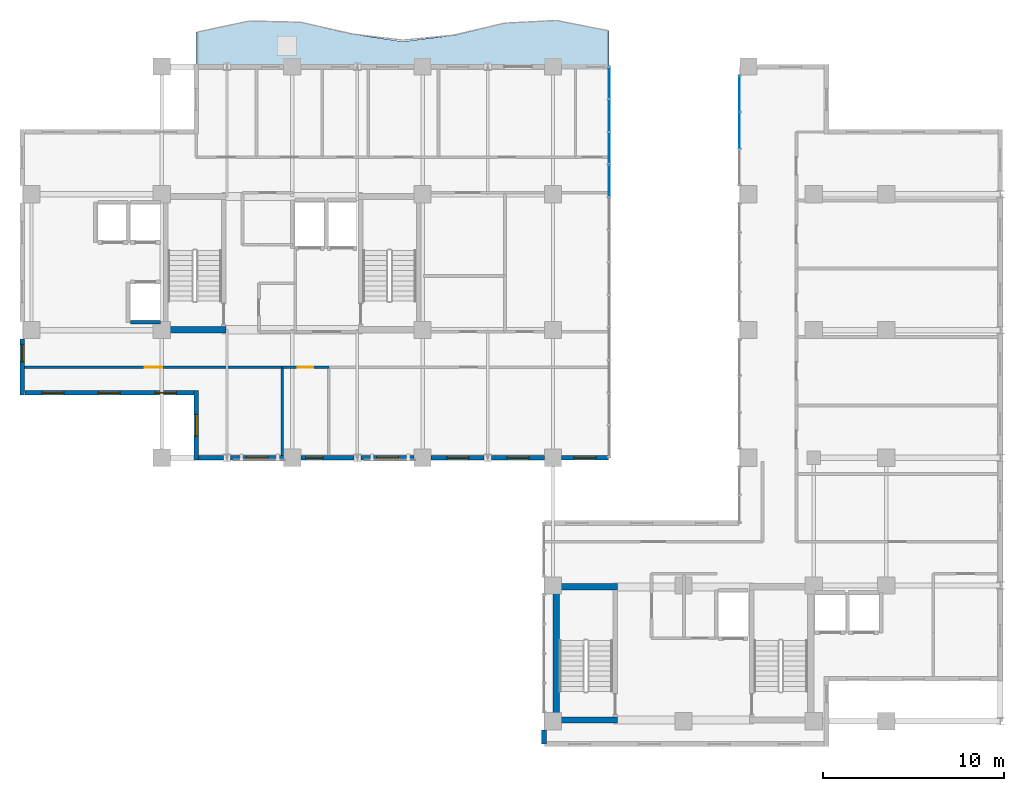
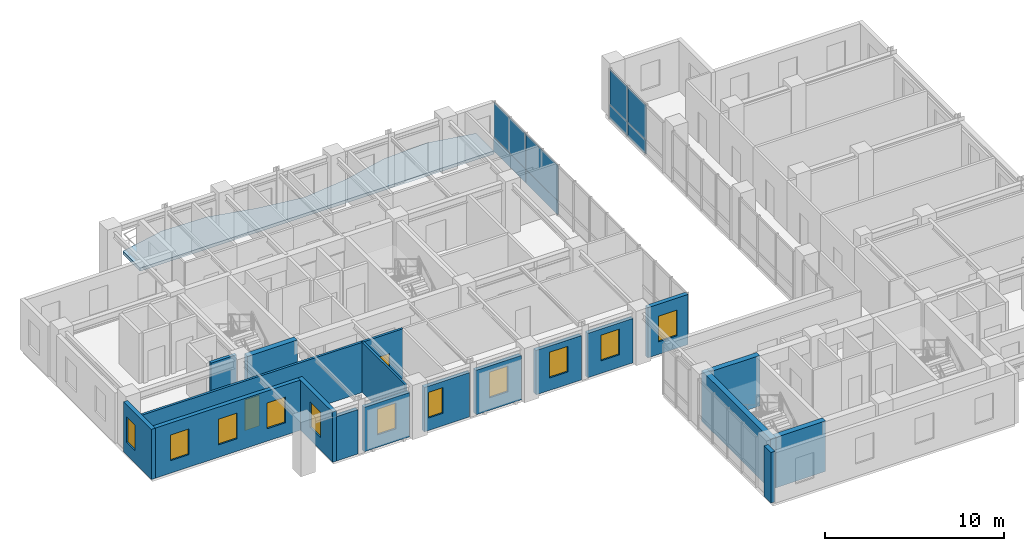
# One storey, part 16 of 24: 19 walls, 11 windows, 8 plates, 2 doors, 1 slab, 13 openings, 2 elements without a shape of their own.
"""IFC4 building model written with IfcOpenShell, lengths in metres."""

from ifc_helpers import new_model, si_unit, direction, frame, frame_2d, origin, origin_2d, place, context, subcontext, project, spatial, polyline, rectangle, outline, extrude, source, transform, mapped, material, layer, layer_set, type_object, element, fill, aggregate, save


model = new_model("IFC4")

# Units and contexts
model_context = context("Model", 3, precision=1e-05, world=origin(), true_north=direction((0.0, 1.0)))
body_context = subcontext(model_context, "Body", "Model", "MODEL_VIEW")
ifc_project = project(units=[si_unit("LENGTHUNIT", "METRE"), si_unit("AREAUNIT", "SQUARE_METRE"), si_unit("VOLUMEUNIT", "CUBIC_METRE"), si_unit("PLANEANGLEUNIT", "RADIAN"), si_unit("MASSUNIT", "GRAM", prefix="KILO")], contexts=[model_context])

# Site, building, storey
site_placement = place(None, origin())
site = spatial("IfcSite", under=ifc_project, at=site_placement, CompositionType="ELEMENT")
building_placement = place(site_placement, origin())
building = spatial("IfcBuilding", under=site, at=building_placement, Name="Kaliganga Portal Commons", CompositionType="ELEMENT")
storey_placement = place(building_placement, frame((0.0, 0.0, 242.5)))
storey = spatial("IfcBuildingStorey", under=building, at=storey_placement, Name="L62", CompositionType="ELEMENT", Elevation=242.5)

# Slab
ifc_material_1 = material(Name="Concrete C40/50", Category="concrete")
ifc_layer_1 = layer(ifc_material_1, 0.2099609375)
ifc_layer_set_1 = layer_set([ifc_layer_1], Name="Concrete C40/50")
slab_type = type_object("IfcSlabType", Name="SLB-BALC-210", PredefinedType="FLOOR", material=ifc_layer_set_1)
slab_placement = place(storey_placement, frame((0.0, 0.0, -0.2099609375)))
element("IfcSlab", 1, at=slab_placement, inside=storey, type_object=slab_type, Name="Scalloped Tree-Planter Balcony Slab L62 balc_north", PredefinedType="FLOOR", context=body_context, shape_type="SweptSolid", body=[
    extrude(outline(polyline([(39.10009765625, 43.199951171875), (39.10009765625, 45.19091796875), (36.25, 45.757080078125), (33.39990234375, 45.60791015625), (30.550048828125, 44.931640625), (27.699951171875, 44.583251953125), (24.85009765625, 45.002685546875), (22.0, 45.66015625), (19.14990234375, 45.724609375), (16.300048828125, 45.11474609375), (16.300048828125, 43.199951171875), (39.10009765625, 43.199951171875)])), origin(), (0.0, 0.0, 1.0), 0.2099609375),
])

# Curtain wall, plates
ifc_material_2 = material(Name="Anodized Aluminium and Laminated Low-E Glass", Category="aluminium")
ifc_layer_2 = layer(ifc_material_2, 0.239990234375)
ifc_layer_set_2 = layer_set([ifc_layer_2], Name="Anodized Aluminium and Laminated Low-E Glass")
curtain_wall_type = type_object("IfcCurtainWallType", Name="CW-SYS-04", PredefinedType="NOTDEFINED", material=ifc_layer_set_2)
curtain_wall_1_placement = place(storey_placement, origin())
curtain_wall_1 = element("IfcCurtainWall", 2, at=curtain_wall_1_placement, inside=storey, type_object=curtain_wall_type, Name="CW 04 L62 P1E01S1", PredefinedType="NOTDEFINED")
ifc_material_3 = material(Name="Insulated Dark Spandrel Panel", Category="metal")
ifc_layer_3 = layer(ifc_material_3, 0.044921875)
ifc_layer_set_3 = layer_set([ifc_layer_3], Name="Insulated Dark Spandrel Panel")
plate_type_1 = type_object("IfcPlateType", Name="PLT-SPN-45", PredefinedType="SHEET", material=ifc_layer_set_3)
shared_shape_1 = source(origin(), body_context, "Body", "SweptSolid", [
    extrude(rectangle(XDim=3.56005859375, YDim=0.044921875, at=origin_2d()), origin(), (0.0, 0.0, 1.0), 0.929931640625),
])
plate_1_placement = place(storey_placement, frame((39.10009765625, 37.800048828125, 0.01025390625), z_axis=(0.0, 0.0, 1.0), x_axis=(0.0, 1.0, 0.0)))
plate_1 = element("IfcPlate", 3, at=plate_1_placement, type_object=plate_type_1, Name="CW:04:L62:P1E01S1 Spandrel 08", PredefinedType="SHEET", context=body_context, shape_type="MappedRepresentation", body=[
    mapped(shared_shape_1, transform((0.0, 0.0, 0.0), x_axis=(1.0, 0.0, 0.0), y_axis=(0.0, 1.0, 0.0), z_axis=(0.0, 0.0, 1.0), scale=1.0)),
])
plate_2_placement = place(storey_placement, frame((39.10009765625, 41.39990234375, 0.01025390625), z_axis=(0.0, 0.0, 1.0), x_axis=(0.0, 1.0, 0.0)))
plate_2 = element("IfcPlate", 4, at=plate_2_placement, type_object=plate_type_1, Name="CW:04:L62:P1E01S1 Spandrel 10", PredefinedType="SHEET", context=body_context, shape_type="MappedRepresentation", body=[
    mapped(shared_shape_1, transform((0.0, 0.0, 0.0), x_axis=(1.0, 0.0, 0.0), y_axis=(0.0, 1.0, 0.0), z_axis=(0.0, 0.0, 1.0), scale=1.0)),
])
ifc_material_4 = material(Name="Dark Solar-Control Laminated Low-E IGU", Category="glass")
ifc_layer_4 = layer(ifc_material_4, 0.028076171875)
ifc_layer_set_4 = layer_set([ifc_layer_4], Name="Dark Solar-Control Laminated Low-E IGU")
plate_type_2 = type_object("IfcPlateType", Name="PLT-GLZ-28", PredefinedType="CURTAIN_PANEL", material=ifc_layer_set_4)
shared_shape_2 = source(origin(), body_context, "Body", "SweptSolid", [
    extrude(rectangle(XDim=3.56005859375, YDim=0.028076171875, at=origin_2d()), origin(), (0.0, 0.0, 1.0), 2.389892578125),
])
plate_3_placement = place(storey_placement, frame((39.10009765625, 37.800048828125, 0.9599609375), z_axis=(0.0, 0.0, 1.0), x_axis=(0.0, 1.0, 0.0)))
plate_3 = element("IfcPlate", 5, at=plate_3_placement, type_object=plate_type_2, Name="CW:04:L62:P1E01S1 Vision IGU 08", PredefinedType="CURTAIN_PANEL", context=body_context, shape_type="MappedRepresentation", body=[
    mapped(shared_shape_2, transform((0.0, 0.0, 0.0), x_axis=(1.0, 0.0, 0.0), y_axis=(0.0, 1.0, 0.0), z_axis=(0.0, 0.0, 1.0), scale=1.0)),
])
plate_4_placement = place(storey_placement, frame((39.10009765625, 41.39990234375, 0.9599609375), z_axis=(0.0, 0.0, 1.0), x_axis=(0.0, 1.0, 0.0)))
plate_4 = element("IfcPlate", 6, at=plate_4_placement, type_object=plate_type_2, Name="CW:04:L62:P1E01S1 Vision IGU 10", PredefinedType="CURTAIN_PANEL", context=body_context, shape_type="MappedRepresentation", body=[
    mapped(shared_shape_2, transform((0.0, 0.0, 0.0), x_axis=(1.0, 0.0, 0.0), y_axis=(0.0, 1.0, 0.0), z_axis=(0.0, 0.0, 1.0), scale=1.0)),
])
aggregate(curtain_wall_1, [plate_1, plate_3, plate_2, plate_4])

curtain_wall_2_placement = place(storey_placement, origin())
curtain_wall_2 = element("IfcCurtainWall", 7, at=curtain_wall_2_placement, inside=storey, type_object=curtain_wall_type, Name="CW 04 L62 P2E07S1", PredefinedType="NOTDEFINED")
shared_shape_3 = source(origin(), body_context, "Body", "SweptSolid", [
    extrude(rectangle(XDim=1.99267578125, YDim=0.044921875, at=origin_2d()), origin(), (0.0, 0.0, 1.0), 0.929931640625),
])
plate_5_placement = place(storey_placement, frame((46.300048828125, 41.707763671875, 0.01025390625), z_axis=(0.0, 0.0, 1.0), x_axis=(0.0, -1.0, 0.0)))
plate_5 = element("IfcPlate", 8, at=plate_5_placement, type_object=plate_type_1, Name="CW:04:L62:P2E07S1 Spandrel 00", PredefinedType="SHEET", context=body_context, shape_type="MappedRepresentation", body=[
    mapped(shared_shape_3, transform((0.0, 0.0, 0.0), x_axis=(1.0, 0.0, 0.0), y_axis=(0.0, 1.0, 0.0), z_axis=(0.0, 0.0, 1.0), scale=1.0)),
])
plate_6_placement = place(storey_placement, frame((46.300048828125, 39.675048828125, 0.01025390625), z_axis=(0.0, 0.0, 1.0), x_axis=(0.0, -1.0, 0.0)))
plate_6 = element("IfcPlate", 9, at=plate_6_placement, type_object=plate_type_1, Name="CW:04:L62:P2E07S1 Spandrel 01", PredefinedType="SHEET", context=body_context, shape_type="MappedRepresentation", body=[
    mapped(shared_shape_3, transform((0.0, 0.0, 0.0), x_axis=(1.0, 0.0, 0.0), y_axis=(0.0, 1.0, 0.0), z_axis=(0.0, 0.0, 1.0), scale=1.0)),
])
shared_shape_4 = source(origin(), body_context, "Body", "SweptSolid", [
    extrude(rectangle(XDim=1.99267578125, YDim=0.028076171875, at=origin_2d()), origin(), (0.0, 0.0, 1.0), 2.389892578125),
])
plate_7_placement = place(storey_placement, frame((46.300048828125, 41.707763671875, 0.9599609375), z_axis=(0.0, 0.0, 1.0), x_axis=(0.0, -1.0, 0.0)))
plate_7 = element("IfcPlate", 10, at=plate_7_placement, type_object=plate_type_2, Name="CW:04:L62:P2E07S1 Vision IGU 00", PredefinedType="CURTAIN_PANEL", context=body_context, shape_type="MappedRepresentation", body=[
    mapped(shared_shape_4, transform((0.0, 0.0, 0.0), x_axis=(1.0, 0.0, 0.0), y_axis=(0.0, 1.0, 0.0), z_axis=(0.0, 0.0, 1.0), scale=1.0)),
])
plate_8_placement = place(storey_placement, frame((46.300048828125, 39.675048828125, 0.9599609375), z_axis=(0.0, 0.0, 1.0), x_axis=(0.0, -1.0, 0.0)))
plate_8 = element("IfcPlate", 11, at=plate_8_placement, type_object=plate_type_2, Name="CW:04:L62:P2E07S1 Vision IGU 01", PredefinedType="CURTAIN_PANEL", context=body_context, shape_type="MappedRepresentation", body=[
    mapped(shared_shape_4, transform((0.0, 0.0, 0.0), x_axis=(1.0, 0.0, 0.0), y_axis=(0.0, 1.0, 0.0), z_axis=(0.0, 0.0, 1.0), scale=1.0)),
])
aggregate(curtain_wall_2, [plate_5, plate_7, plate_6, plate_8])

# Walls
ifc_material_5 = material(Name="Concrete C50/60", Category="concrete")
ifc_layer_5 = layer(ifc_material_5, 0.35009765625)
ifc_layer_set_5 = layer_set([ifc_layer_5], Name="Concrete C50/60")
wall_type_1 = type_object("IfcWallType", Name="WL-CORE-350", PredefinedType="SHEAR", material=ifc_layer_set_5)
wall_1_placement = place(storey_placement, frame((14.75, 28.675048828125, 0.0), z_axis=(0.0, 0.0, 1.0), x_axis=(1.0, 0.0, 0.0)))
element("IfcWall", 12, at=wall_1_placement, inside=storey, type_object=wall_type_1, Name="Core A S-West Shear Wall L62", PredefinedType="SHEAR", context=body_context, shape_type="SweptSolid", body=[
    extrude(rectangle(XDim=3.199951171875, YDim=0.35009765625, at=frame_2d((1.60009765625, 0.0))), origin(), (0.0, 0.0, 1.0), 3.43994140625),
])
wall_2_placement = place(storey_placement, frame((36.175048828125, 6.949951171875, 0.0), z_axis=(0.0, 0.0, 1.0), x_axis=(0.0, 1.0, 0.0)))
element("IfcWall", 13, at=wall_2_placement, inside=storey, type_object=wall_type_1, Name="Core B West Shear Wall L62", PredefinedType="SHEAR", context=body_context, shape_type="SweptSolid", body=[
    extrude(rectangle(XDim=7.699951171875, YDim=0.35009765625, at=frame_2d((3.85009765625, 0.0))), origin(), (0.0, 0.0, 1.0), 3.43994140625),
])
for number, where, z_axis, x_axis, name in (
    (14, (36.35009765625, 7.125, 0.0), (0.0, 0.0, 1.0), (1.0, 0.0, 0.0), "Core B S-West Shear Wall L62"),
    (15, (36.35009765625, 14.47509765625, 0.0), (0.0, 0.0, 1.0), (1.0, 0.0, 0.0), "Core B N-West Shear Wall L62"),
):
    element("IfcWall", number, at=place(storey_placement, frame(where, z_axis=z_axis, x_axis=x_axis)), inside=storey, type_object=wall_type_1, Name=name, PredefinedType="SHEAR", context=body_context, shape_type="SweptSolid", body=[
        extrude(rectangle(XDim=3.199951171875, YDim=0.35009765625, at=frame_2d((1.60009765625, 0.0))), origin(), (0.0, 0.0, 1.0), 3.43994140625),
    ])
ifc_material_6 = material(Name="Insulated Aluminium-Clad Spandrel Assembly", Category="aluminium")
ifc_layer_6 = layer(ifc_material_6, 0.260009765625)
ifc_layer_set_6 = layer_set([ifc_layer_6], Name="Insulated Aluminium-Clad Spandrel Assembly")
wall_type_2 = type_object("IfcWallType", Name="WL-EXT-SPAND-260", PredefinedType="STANDARD", material=ifc_layer_set_6)
wall_3_placement = place(storey_placement, frame((17.799560546875, 21.60009765625, 0.0), z_axis=(0.0, 0.0, 1.0), x_axis=(-1.0, 0.0, 0.0)))
element("IfcWall", 16, at=wall_3_placement, inside=storey, type_object=wall_type_2, Name="Exterior Envelope Wall L62 P1-E00-S1", PredefinedType="STANDARD", context=body_context, shape_type="SweptSolid", body=[
    extrude(rectangle(XDim=1.364501953125, YDim=0.260009765625, at=frame_2d((0.68212890625, 0.0))), origin(), (0.0, 0.0, 1.0), 3.02001953125),
])

# Wall, opening, window
wall_4_placement = place(storey_placement, frame((21.1240234375, 21.60009765625, 0.0), z_axis=(0.0, 0.0, 1.0), x_axis=(-1.0, 0.0, 0.0)))
wall_4 = element("IfcWall", 17, at=wall_4_placement, inside=storey, type_object=wall_type_2, Name="Exterior Envelope Wall L62 P1-E00-S2", PredefinedType="STANDARD", context=body_context, shape_type="SweptSolid", body=[
    extrude(rectangle(XDim=2.923583984375, YDim=0.260009765625, at=frame_2d((1.4619140625, 0.0))), origin(), (0.0, 0.0, 1.0), 3.02001953125),
])
opening_1_placement = place(wall_4_placement, frame((0.86181640625, 0.0, 0.85009765625)))
opening_1 = element("IfcOpeningElement", 18, at=opening_1_placement, cuts=wall_4, Name="Opening W-03", PredefinedType="OPENING", context=body_context, shape_type="SweptSolid", body=[
    extrude(rectangle(XDim=1.199951171875, YDim=1.75, at=frame_2d((0.60009765625, 0.875))), frame((0.0, 0.14013671875, 0.0), z_axis=(0.0, -1.0, 0.0), x_axis=(1.0, 0.0, 0.0)), (0.0, 0.0, 1.0), 0.280029296875),
])
ifc_material_7 = material(Name="Thermally Broken Aluminium and Low-E Double Glazing", Category="aluminium")
window_type_1 = type_object("IfcWindowType", Name="WIN-STD-1200", PartitioningType="SINGLE_PANEL", PredefinedType="WINDOW", material=ifc_material_7)
window_1_placement = place(opening_1_placement, origin())
window_1 = element("IfcWindow", 19, at=window_1_placement, inside=storey, type_object=window_type_1, Name="Facade Window L62-P1E00S2-00", OverallHeight=1.75, OverallWidth=1.199951171875, PartitioningType="SINGLE_PANEL", PredefinedType="WINDOW", context=body_context, shape_type="SweptSolid", body=[
    extrude(rectangle(XDim=1.199951171875, YDim=1.75, at=frame_2d((0.60009765625, 0.875))), frame((0.0, 0.030029296875, 0.0), z_axis=(0.0, -1.0, 0.0), x_axis=(1.0, 0.0, 0.0)), (0.0, 0.0, 1.0), 0.06005859375),
])
fill(opening_1, window_1)

wall_5_placement = place(storey_placement, frame((24.99951171875, 21.60009765625, 0.0), z_axis=(0.0, 0.0, 1.0), x_axis=(-1.0, 0.0, 0.0)))
wall_5 = element("IfcWall", 20, at=wall_5_placement, inside=storey, type_object=wall_type_2, Name="Exterior Envelope Wall L62 P1-E00-S3", PredefinedType="STANDARD", context=body_context, shape_type="SweptSolid", body=[
    extrude(rectangle(XDim=2.923583984375, YDim=0.260009765625, at=frame_2d((1.4619140625, 0.0))), origin(), (0.0, 0.0, 1.0), 3.02001953125),
])
opening_2_placement = place(wall_5_placement, frame((1.7119140625, 0.0, 0.85009765625)))
opening_2 = element("IfcOpeningElement", 21, at=opening_2_placement, cuts=wall_5, Name="Opening W-04", PredefinedType="OPENING", context=body_context, shape_type="SweptSolid", body=[
    extrude(rectangle(XDim=0.949951171875, YDim=1.75, at=frame_2d((0.47509765625, 0.875))), frame((0.0, 0.14013671875, 0.0), z_axis=(0.0, -1.0, 0.0), x_axis=(1.0, 0.0, 0.0)), (0.0, 0.0, 1.0), 0.280029296875),
])
window_type_2 = type_object("IfcWindowType", Name="WIN-NARROW-950", PartitioningType="SINGLE_PANEL", PredefinedType="WINDOW", material=ifc_material_7)
window_2_placement = place(opening_2_placement, origin())
window_2 = element("IfcWindow", 22, at=window_2_placement, inside=storey, type_object=window_type_2, Name="Facade Window L62-P1E00S3-N2", OverallHeight=1.75, OverallWidth=0.949951171875, PartitioningType="SINGLE_PANEL", PredefinedType="WINDOW", context=body_context, shape_type="SweptSolid", body=[
    extrude(rectangle(XDim=0.949951171875, YDim=1.75, at=frame_2d((0.47509765625, 0.875))), frame((0.0, 0.030029296875, 0.0), z_axis=(0.0, -1.0, 0.0), x_axis=(1.0, 0.0, 0.0)), (0.0, 0.0, 1.0), 0.06005859375),
])
fill(opening_2, window_2)

wall_6_placement = place(storey_placement, frame((28.323974609375, 21.60009765625, 0.0), z_axis=(0.0, 0.0, 1.0), x_axis=(-1.0, 0.0, 0.0)))
wall_6 = element("IfcWall", 23, at=wall_6_placement, inside=storey, type_object=wall_type_2, Name="Exterior Envelope Wall L62 P1-E00-S4", PredefinedType="STANDARD", context=body_context, shape_type="SweptSolid", body=[
    extrude(rectangle(XDim=2.923583984375, YDim=0.260009765625, at=frame_2d((1.4619140625, 0.0))), origin(), (0.0, 0.0, 1.0), 3.02001953125),
])
opening_3_placement = place(wall_6_placement, frame((0.86181640625, 0.0, 0.85009765625)))
opening_3 = element("IfcOpeningElement", 24, at=opening_3_placement, cuts=wall_6, Name="Opening W-03", PredefinedType="OPENING", context=body_context, shape_type="SweptSolid", body=[
    extrude(rectangle(XDim=1.199951171875, YDim=1.75, at=frame_2d((0.60009765625, 0.875))), frame((0.0, 0.14013671875, 0.0), z_axis=(0.0, -1.0, 0.0), x_axis=(1.0, 0.0, 0.0)), (0.0, 0.0, 1.0), 0.280029296875),
])
window_3_placement = place(opening_3_placement, origin())
window_3 = element("IfcWindow", 25, at=window_3_placement, inside=storey, type_object=window_type_1, Name="Facade Window L62-P1E00S4-00", OverallHeight=1.75, OverallWidth=1.199951171875, PartitioningType="SINGLE_PANEL", PredefinedType="WINDOW", context=body_context, shape_type="SweptSolid", body=[
    extrude(rectangle(XDim=1.199951171875, YDim=1.75, at=frame_2d((0.60009765625, 0.875))), frame((0.0, 0.030029296875, 0.0), z_axis=(0.0, -1.0, 0.0), x_axis=(1.0, 0.0, 0.0)), (0.0, 0.0, 1.0), 0.06005859375),
])
fill(opening_3, window_3)

wall_7_placement = place(storey_placement, frame((32.199462890625, 21.60009765625, 0.0), z_axis=(0.0, 0.0, 1.0), x_axis=(-1.0, 0.0, 0.0)))
wall_7 = element("IfcWall", 26, at=wall_7_placement, inside=storey, type_object=wall_type_2, Name="Exterior Envelope Wall L62 P1-E00-S5", PredefinedType="STANDARD", context=body_context, shape_type="SweptSolid", body=[
    extrude(rectangle(XDim=2.923583984375, YDim=0.260009765625, at=frame_2d((1.4619140625, 0.0))), origin(), (0.0, 0.0, 1.0), 3.02001953125),
])
opening_4_placement = place(wall_7_placement, frame((0.86181640625, 0.0, 0.85009765625)))
opening_4 = element("IfcOpeningElement", 27, at=opening_4_placement, cuts=wall_7, Name="Opening W-03", PredefinedType="OPENING", context=body_context, shape_type="SweptSolid", body=[
    extrude(rectangle(XDim=1.199951171875, YDim=1.75, at=frame_2d((0.60009765625, 0.875))), frame((0.0, 0.14013671875, 0.0), z_axis=(0.0, -1.0, 0.0), x_axis=(1.0, 0.0, 0.0)), (0.0, 0.0, 1.0), 0.280029296875),
])
window_4_placement = place(opening_4_placement, origin())
window_4 = element("IfcWindow", 28, at=window_4_placement, inside=storey, type_object=window_type_1, Name="Facade Window L62-P1E00S5-00", OverallHeight=1.75, OverallWidth=1.199951171875, PartitioningType="SINGLE_PANEL", PredefinedType="WINDOW", context=body_context, shape_type="SweptSolid", body=[
    extrude(rectangle(XDim=1.199951171875, YDim=1.75, at=frame_2d((0.60009765625, 0.875))), frame((0.0, 0.030029296875, 0.0), z_axis=(0.0, -1.0, 0.0), x_axis=(1.0, 0.0, 0.0)), (0.0, 0.0, 1.0), 0.06005859375),
])
fill(opening_4, window_4)

wall_8_placement = place(storey_placement, frame((35.52392578125, 21.60009765625, 0.0), z_axis=(0.0, 0.0, 1.0), x_axis=(-1.0, 0.0, 0.0)))
wall_8 = element("IfcWall", 29, at=wall_8_placement, inside=storey, type_object=wall_type_2, Name="Exterior Envelope Wall L62 P1-E00-S6", PredefinedType="STANDARD", context=body_context, shape_type="SweptSolid", body=[
    extrude(rectangle(XDim=2.92333984375, YDim=0.260009765625, at=frame_2d((1.461669921875, 0.0))), origin(), (0.0, 0.0, 1.0), 3.02001953125),
])
opening_5_placement = place(wall_8_placement, frame((0.86181640625, 0.0, 0.85009765625)))
opening_5 = element("IfcOpeningElement", 30, at=opening_5_placement, cuts=wall_8, Name="Opening W-03", PredefinedType="OPENING", context=body_context, shape_type="SweptSolid", body=[
    extrude(rectangle(XDim=1.199951171875, YDim=1.75, at=frame_2d((0.60009765625, 0.875))), frame((0.0, 0.14013671875, 0.0), z_axis=(0.0, -1.0, 0.0), x_axis=(1.0, 0.0, 0.0)), (0.0, 0.0, 1.0), 0.280029296875),
])
window_5_placement = place(opening_5_placement, origin())
window_5 = element("IfcWindow", 31, at=window_5_placement, inside=storey, type_object=window_type_1, Name="Facade Window L62-P1E00S6-00", OverallHeight=1.75, OverallWidth=1.199951171875, PartitioningType="SINGLE_PANEL", PredefinedType="WINDOW", context=body_context, shape_type="SweptSolid", body=[
    extrude(rectangle(XDim=1.199951171875, YDim=1.75, at=frame_2d((0.60009765625, 0.875))), frame((0.0, 0.030029296875, 0.0), z_axis=(0.0, -1.0, 0.0), x_axis=(1.0, 0.0, 0.0)), (0.0, 0.0, 1.0), 0.06005859375),
])
fill(opening_5, window_5)

wall_9_placement = place(storey_placement, frame((39.06298828125, 21.60009765625, 0.0), z_axis=(0.0, 0.0, 1.0), x_axis=(-1.0, 0.0, 0.0)))
wall_9 = element("IfcWall", 32, at=wall_9_placement, inside=storey, type_object=wall_type_2, Name="Exterior Envelope Wall L62 P1-E00-S7", PredefinedType="STANDARD", context=body_context, shape_type="SweptSolid", body=[
    extrude(rectangle(XDim=2.5869140625, YDim=0.260009765625, at=frame_2d((1.29345703125, 0.0))), origin(), (0.0, 0.0, 1.0), 3.419921875),
])
opening_6_placement = place(wall_9_placement, frame((0.693603515625, 0.0, 0.85009765625)))
opening_6 = element("IfcOpeningElement", 33, at=opening_6_placement, cuts=wall_9, Name="Opening W-03", PredefinedType="OPENING", context=body_context, shape_type="SweptSolid", body=[
    extrude(rectangle(XDim=1.199951171875, YDim=1.75, at=frame_2d((0.60009765625, 0.875))), frame((0.0, 0.14013671875, 0.0), z_axis=(0.0, -1.0, 0.0), x_axis=(1.0, 0.0, 0.0)), (0.0, 0.0, 1.0), 0.280029296875),
])
window_6_placement = place(opening_6_placement, origin())
window_6 = element("IfcWindow", 34, at=window_6_placement, inside=storey, type_object=window_type_1, Name="Facade Window L62-P1E00S7-00", OverallHeight=1.75, OverallWidth=1.199951171875, PartitioningType="SINGLE_PANEL", PredefinedType="WINDOW", context=body_context, shape_type="SweptSolid", body=[
    extrude(rectangle(XDim=1.199951171875, YDim=1.75, at=frame_2d((0.60009765625, 0.875))), frame((0.0, 0.030029296875, 0.0), z_axis=(0.0, -1.0, 0.0), x_axis=(1.0, 0.0, 0.0)), (0.0, 0.0, 1.0), 0.06005859375),
])
fill(opening_6, window_6)

wall_10_placement = place(storey_placement, frame((6.699951171875, 25.070068359375, 0.0), z_axis=(0.0, 0.0, 1.0), x_axis=(0.0, 1.0, 0.0)))
wall_10 = element("IfcWall", 35, at=wall_10_placement, inside=storey, type_object=wall_type_2, Name="Exterior Envelope Wall L62 P1-E05-S3", PredefinedType="STANDARD", context=body_context, shape_type="SweptSolid", body=[
    extrude(rectangle(XDim=3.10400390625, YDim=0.260009765625, at=frame_2d((1.552001953125, 0.0))), origin(), (0.0, 0.0, 1.0), 3.419921875),
])
opening_7_placement = place(wall_10_placement, frame((1.8466796875, 0.0, 0.85009765625)))
opening_7 = element("IfcOpeningElement", 36, at=opening_7_placement, cuts=wall_10, Name="Opening W-04", PredefinedType="OPENING", context=body_context, shape_type="SweptSolid", body=[
    extrude(rectangle(XDim=0.949951171875, YDim=1.75, at=frame_2d((0.47509765625, 0.875))), frame((0.0, 0.14013671875, 0.0), z_axis=(0.0, -1.0, 0.0), x_axis=(1.0, 0.0, 0.0)), (0.0, 0.0, 1.0), 0.280029296875),
])
window_7_placement = place(opening_7_placement, origin())
window_7 = element("IfcWindow", 37, at=window_7_placement, inside=storey, type_object=window_type_2, Name="Facade Window L62-P1E05S3-N2", OverallHeight=1.75, OverallWidth=0.949951171875, PartitioningType="SINGLE_PANEL", PredefinedType="WINDOW", context=body_context, shape_type="SweptSolid", body=[
    extrude(rectangle(XDim=0.949951171875, YDim=1.75, at=frame_2d((0.47509765625, 0.875))), frame((0.0, 0.030029296875, 0.0), z_axis=(0.0, -1.0, 0.0), x_axis=(1.0, 0.0, 0.0)), (0.0, 0.0, 1.0), 0.06005859375),
])
fill(opening_7, window_7)

# Wall, openings, windows
wall_11_placement = place(storey_placement, frame((16.1650390625, 25.199951171875, 0.0), z_axis=(0.0, 0.0, 1.0), x_axis=(-1.0, 0.0, 0.0)))
wall_11 = element("IfcWall", 38, at=wall_11_placement, inside=storey, type_object=wall_type_2, Name="Exterior Envelope Wall L62 P1-E06-S1", PredefinedType="STANDARD", context=body_context, shape_type="SweptSolid", body=[
    extrude(rectangle(XDim=9.330078125, YDim=0.260009765625, at=frame_2d((4.6650390625, 0.0))), origin(), (0.0, 0.0, 1.0), 3.419921875),
])
opening_8_placement = place(wall_11_placement, frame((0.955078125, 0.0, 0.85009765625)))
opening_8 = element("IfcOpeningElement", 39, at=opening_8_placement, cuts=wall_11, Name="Opening W-03", PredefinedType="OPENING", context=body_context, shape_type="SweptSolid", body=[
    extrude(rectangle(XDim=1.199951171875, YDim=1.75, at=frame_2d((0.60009765625, 0.875))), frame((0.0, 0.14013671875, 0.0), z_axis=(0.0, -1.0, 0.0), x_axis=(1.0, 0.0, 0.0)), (0.0, 0.0, 1.0), 0.280029296875),
])
opening_9_placement = place(wall_11_placement, frame((4.06494140625, 0.0, 0.85009765625)))
opening_9 = element("IfcOpeningElement", 40, at=opening_9_placement, cuts=wall_11, Name="Opening W-03", PredefinedType="OPENING", context=body_context, shape_type="SweptSolid", body=[
    extrude(rectangle(XDim=1.199951171875, YDim=1.75, at=frame_2d((0.60009765625, 0.875))), frame((0.0, 0.14013671875, 0.0), z_axis=(0.0, -1.0, 0.0), x_axis=(1.0, 0.0, 0.0)), (0.0, 0.0, 1.0), 0.280029296875),
])
opening_10_placement = place(wall_11_placement, frame((7.175048828125, 0.0, 0.85009765625)))
opening_10 = element("IfcOpeningElement", 41, at=opening_10_placement, cuts=wall_11, Name="Opening W-03", PredefinedType="OPENING", context=body_context, shape_type="SweptSolid", body=[
    extrude(rectangle(XDim=1.199951171875, YDim=1.75, at=frame_2d((0.60009765625, 0.875))), frame((0.0, 0.14013671875, 0.0), z_axis=(0.0, -1.0, 0.0), x_axis=(1.0, 0.0, 0.0)), (0.0, 0.0, 1.0), 0.280029296875),
])
window_8_placement = place(opening_8_placement, origin())
window_8 = element("IfcWindow", 42, at=window_8_placement, inside=storey, type_object=window_type_1, Name="Facade Window L62-P1E06S1-00", OverallHeight=1.75, OverallWidth=1.199951171875, PartitioningType="SINGLE_PANEL", PredefinedType="WINDOW", context=body_context, shape_type="SweptSolid", body=[
    extrude(rectangle(XDim=1.199951171875, YDim=1.75, at=frame_2d((0.60009765625, 0.875))), frame((0.0, 0.030029296875, 0.0), z_axis=(0.0, -1.0, 0.0), x_axis=(1.0, 0.0, 0.0)), (0.0, 0.0, 1.0), 0.06005859375),
])
fill(opening_8, window_8)
window_9_placement = place(opening_9_placement, origin())
window_9 = element("IfcWindow", 43, at=window_9_placement, inside=storey, type_object=window_type_1, Name="Facade Window L62-P1E06S1-01", OverallHeight=1.75, OverallWidth=1.199951171875, PartitioningType="SINGLE_PANEL", PredefinedType="WINDOW", context=body_context, shape_type="SweptSolid", body=[
    extrude(rectangle(XDim=1.199951171875, YDim=1.75, at=frame_2d((0.60009765625, 0.875))), frame((0.0, 0.030029296875, 0.0), z_axis=(0.0, -1.0, 0.0), x_axis=(1.0, 0.0, 0.0)), (0.0, 0.0, 1.0), 0.06005859375),
])
fill(opening_9, window_9)
window_10_placement = place(opening_10_placement, origin())
window_10 = element("IfcWindow", 44, at=window_10_placement, inside=storey, type_object=window_type_1, Name="Facade Window L62-P1E06S1-02", OverallHeight=1.75, OverallWidth=1.199951171875, PartitioningType="SINGLE_PANEL", PredefinedType="WINDOW", context=body_context, shape_type="SweptSolid", body=[
    extrude(rectangle(XDim=1.199951171875, YDim=1.75, at=frame_2d((0.60009765625, 0.875))), frame((0.0, 0.030029296875, 0.0), z_axis=(0.0, -1.0, 0.0), x_axis=(1.0, 0.0, 0.0)), (0.0, 0.0, 1.0), 0.06005859375),
])
fill(opening_10, window_10)

# Wall, opening, window
wall_12_placement = place(storey_placement, frame((16.300048828125, 21.469970703125, 0.0), z_axis=(0.0, 0.0, 1.0), x_axis=(0.0, 1.0, 0.0)))
wall_12 = element("IfcWall", 45, at=wall_12_placement, inside=storey, type_object=wall_type_2, Name="Exterior Envelope Wall L62 P1-E07-S1", PredefinedType="STANDARD", context=body_context, shape_type="SweptSolid", body=[
    extrude(rectangle(XDim=3.860107421875, YDim=0.260009765625, at=frame_2d((1.93017578125, 0.0))), origin(), (0.0, 0.0, 1.0), 3.419921875),
])
opening_11_placement = place(wall_12_placement, frame((1.330078125, 0.0, 0.85009765625)))
opening_11 = element("IfcOpeningElement", 46, at=opening_11_placement, cuts=wall_12, Name="Opening W-03", PredefinedType="OPENING", context=body_context, shape_type="SweptSolid", body=[
    extrude(rectangle(XDim=1.199951171875, YDim=1.75, at=frame_2d((0.60009765625, 0.875))), frame((0.0, 0.14013671875, 0.0), z_axis=(0.0, -1.0, 0.0), x_axis=(1.0, 0.0, 0.0)), (0.0, 0.0, 1.0), 0.280029296875),
])
window_11_placement = place(opening_11_placement, origin())
window_11 = element("IfcWindow", 47, at=window_11_placement, inside=storey, type_object=window_type_1, Name="Facade Window L62-P1E07S1-00", OverallHeight=1.75, OverallWidth=1.199951171875, PartitioningType="SINGLE_PANEL", PredefinedType="WINDOW", context=body_context, shape_type="SweptSolid", body=[
    extrude(rectangle(XDim=1.199951171875, YDim=1.75, at=frame_2d((0.60009765625, 0.875))), frame((0.0, 0.030029296875, 0.0), z_axis=(0.0, -1.0, 0.0), x_axis=(1.0, 0.0, 0.0)), (0.0, 0.0, 1.0), 0.06005859375),
])
fill(opening_11, window_11)

# Wall
wall_13_placement = place(storey_placement, frame((35.5, 5.800048828125, 0.0), z_axis=(0.0, 0.0, 1.0), x_axis=(0.0, 1.0, 0.0)))
element("IfcWall", 48, at=wall_13_placement, inside=storey, type_object=wall_type_2, Name="Exterior Spandrel Closure Pier L62 P2-E09-S3", PredefinedType="STANDARD", context=body_context, shape_type="SweptSolid", body=[
    extrude(rectangle(XDim=0.77392578125, YDim=0.260009765625, at=frame_2d((0.386962890625, 0.0))), origin(), (0.0, 0.0, 1.0), 3.43994140625),
])

# Wall, opening, door
ifc_material_8 = material(Name="Fire-Rated Gypsum Board on Steel Stud", Category="steel")
ifc_layer_7 = layer(ifc_material_8, 0.14990234375)
ifc_layer_set_7 = layer_set([ifc_layer_7], Name="Fire-Rated Gypsum Board on Steel Stud")
wall_type_3 = type_object("IfcWallType", Name="WL-PART-CORR-150", PredefinedType="PARTITIONING", material=ifc_layer_set_7)
wall_14_placement = place(storey_placement, frame((6.83203125, 26.60009765625, 0.0), z_axis=(0.0, 0.0, 1.0), x_axis=(1.0, 0.0, 0.0)))
wall_14 = element("IfcWall", 49, at=wall_14_placement, inside=storey, type_object=wall_type_3, Name="Interior Partition L62-002", PredefinedType="PARTITIONING", context=body_context, shape_type="SweptSolid", body=[
    extrude(rectangle(XDim=14.22802734375, YDim=0.14990234375, at=frame_2d((7.114013671875, 0.0))), origin(), (0.0, 0.0, 1.0), 3.419921875),
])
opening_12_placement = place(wall_14_placement, frame((6.638916015625, 0.0, 0.0)))
opening_12 = element("IfcOpeningElement", 50, at=opening_12_placement, cuts=wall_14, Name="Opening UD-01", PredefinedType="OPENING", context=body_context, shape_type="SweptSolid", body=[
    extrude(rectangle(XDim=0.949951171875, YDim=2.10009765625, at=frame_2d((0.47509765625, 1.050048828125))), frame((0.0, 0.0849609375, 0.0), z_axis=(0.0, -1.0, 0.0), x_axis=(1.0, 0.0, 0.0)), (0.0, 0.0, 1.0), 0.169921875),
])
ifc_material_9 = material(Name="Solid-Core Timber Acoustic Fire Door", Category="wood")
door_type_1 = type_object("IfcDoorType", Name="DR-UNIT-950", OperationType="NOTDEFINED", PredefinedType="DOOR", material=ifc_material_9)
door_1_placement = place(opening_12_placement, origin())
door_1 = element("IfcDoor", 51, at=door_1_placement, inside=storey, type_object=door_type_1, Name="Interior Door L62-AS01", OperationType="SINGLE_SWING_RIGHT", OverallHeight=2.10009765625, OverallWidth=0.949951171875, PredefinedType="DOOR", context=body_context, shape_type="SweptSolid", body=[
    extrude(rectangle(XDim=0.949951171875, YDim=2.10009765625, at=frame_2d((0.47509765625, 1.050048828125))), frame((0.0, 0.02490234375, 0.0), z_axis=(0.0, -1.0, 0.0), x_axis=(1.0, 0.0, 0.0)), (0.0, 0.0, 1.0), 0.050048828125),
])
fill(opening_12, door_1)

wall_15_placement = place(storey_placement, frame((21.06005859375, 26.60009765625, 0.0), z_axis=(0.0, 0.0, 1.0), x_axis=(1.0, 0.0, 0.0)))
wall_15 = element("IfcWall", 52, at=wall_15_placement, inside=storey, type_object=wall_type_3, Name="Interior Partition L62-029", PredefinedType="PARTITIONING", context=body_context, shape_type="SweptSolid", body=[
    extrude(rectangle(XDim=2.56005859375, YDim=0.14990234375, at=frame_2d((1.280029296875, 0.0))), origin(), (0.0, 0.0, 1.0), 3.419921875),
])
opening_13_placement = place(wall_15_placement, frame((0.85498046875, 0.0, 0.0)))
opening_13 = element("IfcOpeningElement", 53, at=opening_13_placement, cuts=wall_15, Name="Opening WD-01", PredefinedType="OPENING", context=body_context, shape_type="SweptSolid", body=[
    extrude(rectangle(XDim=0.85009765625, YDim=2.0400390625, at=frame_2d((0.425048828125, 1.02001953125))), frame((0.0, 0.0849609375, 0.0), z_axis=(0.0, -1.0, 0.0), x_axis=(1.0, 0.0, 0.0)), (0.0, 0.0, 1.0), 0.169921875),
])
ifc_material_10 = material(Name="Moisture-Resistant Laminate Timber Door", Category="wood")
door_type_2 = type_object("IfcDoorType", Name="DR-WET-850", OperationType="NOTDEFINED", PredefinedType="DOOR", material=ifc_material_10)
door_2_placement = place(opening_13_placement, origin())
door_2 = element("IfcDoor", 54, at=door_2_placement, inside=storey, type_object=door_type_2, Name="Interior Door L62-AS02", OperationType="SINGLE_SWING_LEFT", OverallHeight=2.0400390625, OverallWidth=0.85009765625, PredefinedType="DOOR", context=body_context, shape_type="SweptSolid", body=[
    extrude(rectangle(XDim=0.85009765625, YDim=2.0400390625, at=frame_2d((0.425048828125, 1.02001953125))), frame((0.0, 0.02490234375, 0.0), z_axis=(0.0, -1.0, 0.0), x_axis=(1.0, 0.0, 0.0)), (0.0, 0.0, 1.0), 0.050048828125),
])
fill(opening_13, door_2)

# Walls
ifc_material_11 = material(Name="Cement-Board Wet-Room Partition", Category="gypsum")
ifc_layer_8 = layer(ifc_material_11, 0.135009765625)
ifc_layer_set_8 = layer_set([ifc_layer_8], Name="Cement-Board Wet-Room Partition")
wall_type_4 = type_object("IfcWallType", Name="WL-PART-WET-135", PredefinedType="PARTITIONING", material=ifc_layer_set_8)
wall_16_placement = place(storey_placement, frame((21.06005859375, 21.73193359375, 0.0), z_axis=(0.0, 0.0, 1.0), x_axis=(0.0, 1.0, 0.0)))
element("IfcWall", 55, at=wall_16_placement, inside=storey, type_object=wall_type_4, Name="Interior Partition L62-049", PredefinedType="PARTITIONING", context=body_context, shape_type="SweptSolid", body=[
    extrude(rectangle(XDim=4.8681640625, YDim=0.135009765625, at=frame_2d((2.43408203125, 0.0))), origin(), (0.0, 0.0, 1.0), 3.419921875),
])
ifc_material_12 = material(Name="Fire-Rated Shaftwall Masonry Assembly", Category="masonry")
ifc_layer_9 = layer(ifc_material_12, 0.199951171875)
ifc_layer_set_9 = layer_set([ifc_layer_9], Name="Fire-Rated Shaftwall Masonry Assembly")
wall_type_5 = type_object("IfcWallType", Name="WL-SHAFT-200", PredefinedType="PARTITIONING", material=ifc_layer_set_9)
wall_17_placement = place(storey_placement, frame((12.675048828125, 29.0849609375, 0.0), z_axis=(0.0, 0.0, 1.0), x_axis=(1.0, 0.0, 0.0)))
element("IfcWall", 56, at=wall_17_placement, inside=storey, type_object=wall_type_5, Name="Lift PL-A4 Hoistway Shaft Wall L62-S", PredefinedType="PARTITIONING", context=body_context, shape_type="SweptSolid", body=[
    extrude(rectangle(XDim=1.64990234375, YDim=0.199951171875, at=frame_2d((0.824951171875, 0.0))), origin(), (0.0, 0.0, 1.0), 3.419921875),
])

save(model, "model.ifc")
